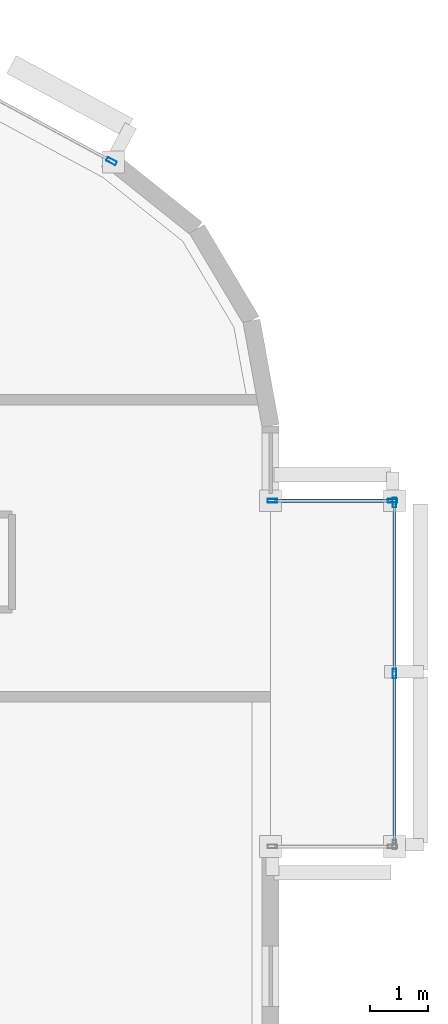
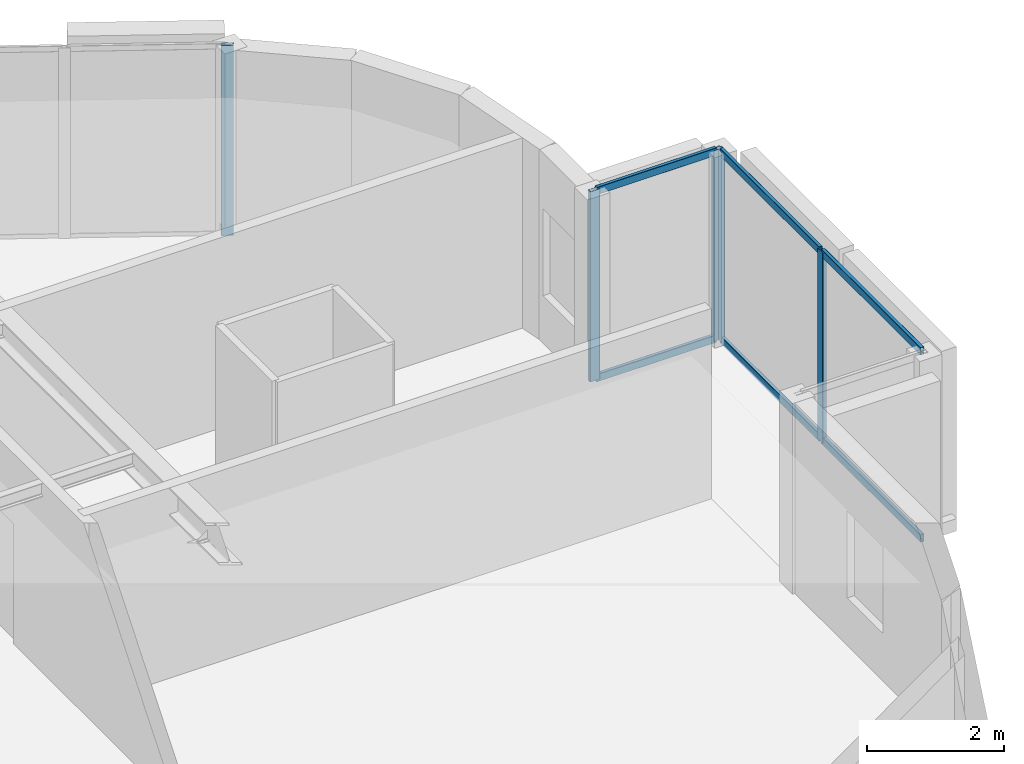
# One storey, part 7 of 14: 11 members, 3 elements without a shape of their own.
"""IFC4 building model written with IfcOpenShell, lengths in metres."""

from ifc_helpers import new_model, si_unit, direction, frame, origin, origin_2d, place, context, subcontext, project, spatial, hollow_rectangle, extrude, material, layer, layer_set, material_profile, profile_set, type_object, element, aggregate, save


model = new_model("IFC4")

# Units and contexts
model_context = context("Model", 3, precision=1e-05, world=origin(), true_north=direction((0.0, 1.0)))
body_context = subcontext(model_context, "Body", "Model", "MODEL_VIEW")
ifc_project = project(units=[si_unit("LENGTHUNIT", "METRE"), si_unit("AREAUNIT", "SQUARE_METRE"), si_unit("VOLUMEUNIT", "CUBIC_METRE"), si_unit("PLANEANGLEUNIT", "RADIAN"), si_unit("MASSUNIT", "GRAM", prefix="KILO")], contexts=[model_context])

# Site, building, storey
site_placement = place(None, origin())
site = spatial("IfcSite", under=ifc_project, at=site_placement, CompositionType="ELEMENT")
building_placement = place(site_placement, origin())
building = spatial("IfcBuilding", under=site, at=building_placement, Name="An Khanh Terracotta Commons", CompositionType="ELEMENT")
storey_placement = place(building_placement, frame((0.0, 0.0, 230.10009765625)))
storey = spatial("IfcBuildingStorey", under=building, at=storey_placement, Name="L60", CompositionType="ELEMENT", Elevation=230.10009765625)

# Curtain wall, members
ifc_material = material(Name="Anodised Aluminium 6063-T6", Category="aluminium")
ifc_layer_1 = layer(ifc_material, 0.239990234375, Name="Anodised Aluminium 6063-T6")
ifc_layer_set_1 = layer_set([ifc_layer_1], Name="Anodised Aluminium 6063-T6")
curtain_wall_type_1 = type_object("IfcCurtainWallType", Name="CW-SYS-04", PredefinedType="USERDEFINED", material=ifc_layer_set_1)
curtain_wall_1_placement = place(storey_placement, origin())
curtain_wall_1 = element("IfcCurtainWall", 1, at=curtain_wall_1_placement, inside=storey, type_object=curtain_wall_type_1, Name="L60 CW-04 Unitised Curtain Wall CW-L60-EBOX-1", ObjectType="UNITISED CURTAIN WALL", PredefinedType="USERDEFINED")
ifc_material_profile_1 = material_profile(ifc_material, hollow_rectangle(XDim=0.06494140625, YDim=0.1650390625, WallThickness=0.00390625, InnerFilletRadius=0.00390625, OuterFilletRadius=0.008056640625, at=origin_2d()), Name="RHS165x65x4")
ifc_profile_set_1 = profile_set([ifc_material_profile_1], Name="Anodised Aluminium 6063-T6")
member_type_1 = type_object("IfcMemberType", Name="CWM-RHS165x65x4", PredefinedType="MULLION", material=ifc_profile_set_1)
member_1_placement = place(storey_placement, frame((70.75, 25.60009765625, 0.0), z_axis=(0.0, 0.0, 1.0), x_axis=(-1.0, 0.0, 0.0)))
member_1 = element("IfcMember", 2, at=member_1_placement, type_object=member_type_1, Name="CW-04 mullion 2", PredefinedType="MULLION", context=body_context, shape_type="SweptSolid", body=[
    extrude(hollow_rectangle(XDim=0.06494140625, YDim=0.1650390625, WallThickness=0.00390625, InnerFilletRadius=0.00390625, OuterFilletRadius=0.008056640625, at=origin_2d()), origin(), (0.0, 0.0, 1.0), 3.39990234375),
])
member_2_placement = place(storey_placement, frame((70.75, 28.5673828125, 0.0), z_axis=(0.0, 0.0, 1.0), x_axis=(-1.0, 0.0, 0.0)))
member_2 = element("IfcMember", 3, at=member_2_placement, type_object=member_type_1, Name="CW-04 mullion 3", PredefinedType="MULLION", context=body_context, shape_type="SweptSolid", body=[
    extrude(hollow_rectangle(XDim=0.06494140625, YDim=0.1650390625, WallThickness=0.00390625, InnerFilletRadius=0.00390625, OuterFilletRadius=0.008056640625, at=origin_2d()), origin(), (0.0, 0.0, 1.0), 3.39990234375),
])

curtain_wall_2_placement = place(storey_placement, origin())
curtain_wall_2 = element("IfcCurtainWall", 4, at=curtain_wall_2_placement, inside=storey, type_object=curtain_wall_type_1, Name="L60 CW-04 Unitised Curtain Wall CW-L60-EBOX-3", ObjectType="UNITISED CURTAIN WALL", PredefinedType="USERDEFINED")
member_3_placement = place(storey_placement, frame((70.717529296875, 28.60009765625, 0.0), z_axis=(0.0, 0.0, 1.0), x_axis=(0.0, -1.0, 0.0)))
member_3 = element("IfcMember", 5, at=member_3_placement, type_object=member_type_1, Name="CW-04 mullion 1", PredefinedType="MULLION", context=body_context, shape_type="SweptSolid", body=[
    extrude(hollow_rectangle(XDim=0.06494140625, YDim=0.1650390625, WallThickness=0.00390625, InnerFilletRadius=0.00390625, OuterFilletRadius=0.008056640625, at=origin_2d()), origin(), (0.0, 0.0, 1.0), 3.39990234375),
])
member_4_placement = place(storey_placement, frame((68.632568359375, 28.60009765625, 0.0), z_axis=(0.0, 0.0, 1.0), x_axis=(0.0, -1.0, 0.0)))
member_4 = element("IfcMember", 6, at=member_4_placement, type_object=member_type_1, Name="CW-04 mullion 2", PredefinedType="MULLION", context=body_context, shape_type="SweptSolid", body=[
    extrude(hollow_rectangle(XDim=0.06494140625, YDim=0.1650390625, WallThickness=0.00390625, InnerFilletRadius=0.00390625, OuterFilletRadius=0.008056640625, at=origin_2d()), origin(), (0.0, 0.0, 1.0), 3.39990234375),
])

# Curtain wall, member
ifc_layer_2 = layer(ifc_material, 0.2099609375, Name="Anodised Aluminium 6063-T6")
ifc_layer_set_2 = layer_set([ifc_layer_2], Name="Anodised Aluminium 6063-T6")
curtain_wall_type_2 = type_object("IfcCurtainWallType", Name="CW-SYS-03", PredefinedType="USERDEFINED", material=ifc_layer_set_2)
curtain_wall_3_placement = place(storey_placement, origin())
curtain_wall_3 = element("IfcCurtainWall", 7, at=curtain_wall_3_placement, inside=storey, type_object=curtain_wall_type_2, Name="L60 CW-03 Unitised Curtain Wall CW-L60-16", ObjectType="UNITISED CURTAIN WALL", PredefinedType="USERDEFINED")
ifc_material_profile_2 = material_profile(ifc_material, hollow_rectangle(XDim=0.070068359375, YDim=0.179931640625, WallThickness=0.00390625, InnerFilletRadius=0.00390625, OuterFilletRadius=0.008056640625, at=origin_2d()), Name="RHS180x70x4")
ifc_profile_set_2 = profile_set([ifc_material_profile_2], Name="Anodised Aluminium 6063-T6")
member_type_2 = type_object("IfcMemberType", Name="CWM-RHS180x70x4", PredefinedType="MULLION", material=ifc_profile_set_2)
member_5_placement = place(storey_placement, frame((65.84130859375, 34.49072265625, 0.0), z_axis=(0.0, 0.0, 1.0), x_axis=(-0.47538088298, -0.879780095306, 0.0)))
member_5 = element("IfcMember", 8, at=member_5_placement, type_object=member_type_2, Name="CW-03 mullion 1", PredefinedType="MULLION", context=body_context, shape_type="SweptSolid", body=[
    extrude(hollow_rectangle(XDim=0.070068359375, YDim=0.179931640625, WallThickness=0.00390625, InnerFilletRadius=0.00390625, OuterFilletRadius=0.008056640625, at=origin_2d()), origin(), (0.0, 0.0, 1.0), 3.39990234375),
])
aggregate(curtain_wall_3, [member_5])

# Member
ifc_material_profile_3 = material_profile(ifc_material, hollow_rectangle(XDim=0.06005859375, YDim=0.135009765625, WallThickness=0.003662109375, InnerFilletRadius=0.003662109375, OuterFilletRadius=0.007080078125, at=origin_2d()), Name="RHS135x60x3.6")
ifc_profile_set_3 = profile_set([ifc_material_profile_3], Name="Anodised Aluminium 6063-T6")
member_type_3 = type_object("IfcMemberType", Name="CWT-RHS135x60x3.6", PredefinedType="USERDEFINED", material=ifc_profile_set_3)
member_6_placement = place(storey_placement, frame((70.75, 22.6650390625, 0.02978515625), z_axis=(0.0, 1.0, 0.0), x_axis=(-1.0, 0.0, 0.0)))
member_6 = element("IfcMember", 9, at=member_6_placement, type_object=member_type_3, Name="CW-04 transom 1.1", ObjectType="TRANSOM", PredefinedType="USERDEFINED", context=body_context, shape_type="SweptSolid", body=[
    extrude(hollow_rectangle(XDim=0.06005859375, YDim=0.135009765625, WallThickness=0.003662109375, InnerFilletRadius=0.003662109375, OuterFilletRadius=0.007080078125, at=origin_2d()), origin(), (0.0, 0.0, 1.0), 2.90234375),
])

member_7_placement = place(storey_placement, frame((70.75, 22.6650390625, 3.369873046875), z_axis=(0.0, 1.0, 0.0), x_axis=(-1.0, 0.0, 0.0)))
member_7 = element("IfcMember", 10, at=member_7_placement, type_object=member_type_3, Name="CW-04 transom 1.2", ObjectType="TRANSOM", PredefinedType="USERDEFINED", context=body_context, shape_type="SweptSolid", body=[
    extrude(hollow_rectangle(XDim=0.06005859375, YDim=0.135009765625, WallThickness=0.003662109375, InnerFilletRadius=0.003662109375, OuterFilletRadius=0.007080078125, at=origin_2d()), origin(), (0.0, 0.0, 1.0), 2.90234375),
])

member_8_placement = place(storey_placement, frame((70.75, 25.632568359375, 0.02978515625), z_axis=(0.0, 1.0, 0.0), x_axis=(-1.0, 0.0, 0.0)))
member_8 = element("IfcMember", 11, at=member_8_placement, type_object=member_type_3, Name="CW-04 transom 2.1", ObjectType="TRANSOM", PredefinedType="USERDEFINED", context=body_context, shape_type="SweptSolid", body=[
    extrude(hollow_rectangle(XDim=0.06005859375, YDim=0.135009765625, WallThickness=0.003662109375, InnerFilletRadius=0.003662109375, OuterFilletRadius=0.007080078125, at=origin_2d()), origin(), (0.0, 0.0, 1.0), 2.90234375),
])

member_9_placement = place(storey_placement, frame((70.75, 25.632568359375, 3.369873046875), z_axis=(0.0, 1.0, 0.0), x_axis=(-1.0, 0.0, 0.0)))
member_9 = element("IfcMember", 12, at=member_9_placement, type_object=member_type_3, Name="CW-04 transom 2.2", ObjectType="TRANSOM", PredefinedType="USERDEFINED", context=body_context, shape_type="SweptSolid", body=[
    extrude(hollow_rectangle(XDim=0.06005859375, YDim=0.135009765625, WallThickness=0.003662109375, InnerFilletRadius=0.003662109375, OuterFilletRadius=0.007080078125, at=origin_2d()), origin(), (0.0, 0.0, 1.0), 2.90234375),
])

aggregate(curtain_wall_1, [member_1, member_2, member_6, member_7, member_8, member_9])

member_10_placement = place(storey_placement, frame((70.68505859375, 28.60009765625, 0.02978515625), z_axis=(-1.0, 0.0, 0.0), x_axis=(0.0, -1.0, 0.0)))
member_10 = element("IfcMember", 13, at=member_10_placement, type_object=member_type_3, Name="CW-04 transom 1.1", ObjectType="TRANSOM", PredefinedType="USERDEFINED", context=body_context, shape_type="SweptSolid", body=[
    extrude(hollow_rectangle(XDim=0.06005859375, YDim=0.135009765625, WallThickness=0.003662109375, InnerFilletRadius=0.003662109375, OuterFilletRadius=0.007080078125, at=origin_2d()), origin(), (0.0, 0.0, 1.0), 2.02001953125),
])

member_11_placement = place(storey_placement, frame((70.68505859375, 28.60009765625, 3.369873046875), z_axis=(-1.0, 0.0, 0.0), x_axis=(0.0, -1.0, 0.0)))
member_11 = element("IfcMember", 14, at=member_11_placement, type_object=member_type_3, Name="CW-04 transom 1.2", ObjectType="TRANSOM", PredefinedType="USERDEFINED", context=body_context, shape_type="SweptSolid", body=[
    extrude(hollow_rectangle(XDim=0.06005859375, YDim=0.135009765625, WallThickness=0.003662109375, InnerFilletRadius=0.003662109375, OuterFilletRadius=0.007080078125, at=origin_2d()), origin(), (0.0, 0.0, 1.0), 2.02001953125),
])

aggregate(curtain_wall_2, [member_3, member_4, member_10, member_11])

save(model, "model.ifc")
